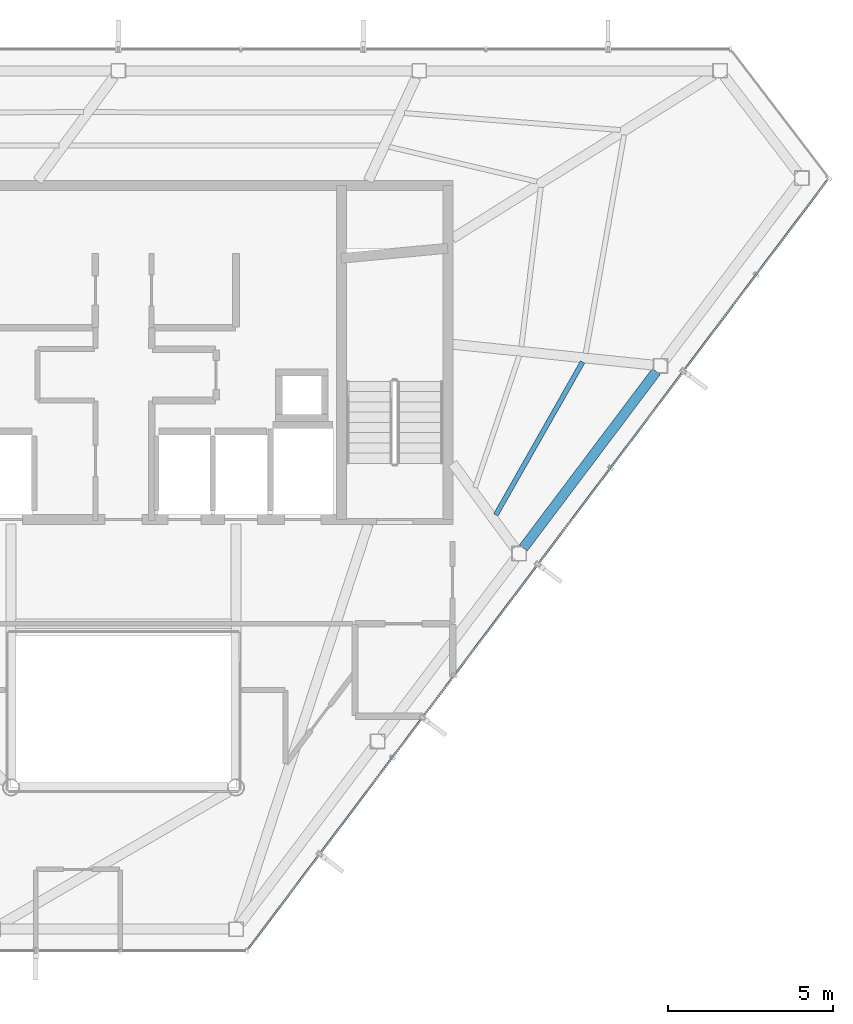
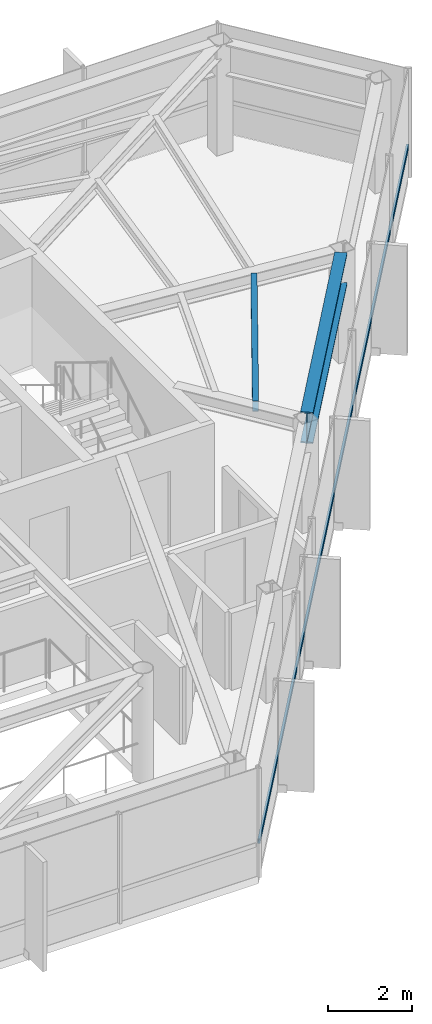
# One storey, part 16 of 22: 2 beams, 1 member, 1 element without a shape of its own.
"""IFC4 building model written with IfcOpenShell, lengths in metres."""

from ifc_helpers import new_model, si_unit, direction, frame, origin, origin_2d, place, context, subcontext, project, spatial, hollow_rectangle, i_section, extrude, material, layer, layer_set, material_profile, profile_set, type_object, element, aggregate, save


model = new_model("IFC4")

# Units and contexts
model_context = context("Model", 3, precision=1e-05, world=origin(), true_north=direction((0.0, 1.0)))
body_context = subcontext(model_context, "Body", "Model", "MODEL_VIEW")
ifc_project = project(units=[si_unit("LENGTHUNIT", "METRE"), si_unit("AREAUNIT", "SQUARE_METRE"), si_unit("VOLUMEUNIT", "CUBIC_METRE"), si_unit("PLANEANGLEUNIT", "RADIAN"), si_unit("MASSUNIT", "GRAM", prefix="KILO")], contexts=[model_context])

# Site, building, storey
site_placement = place(None, origin())
site = spatial("IfcSite", under=ifc_project, at=site_placement, CompositionType="ELEMENT")
building_placement = place(site_placement, origin())
building = spatial("IfcBuilding", under=site, at=building_placement, Name="Zarrinselat Tower", CompositionType="ELEMENT")
storey_placement = place(building_placement, frame((0.0, 0.0, 289.0)))
storey = spatial("IfcBuildingStorey", under=building, at=storey_placement, Name="L74", CompositionType="ELEMENT", Elevation=289.0)

# Beams
ifc_material_1 = material(Name="Steel S460M", Category="steel")
ifc_material_profile_1 = material_profile(ifc_material_1, i_section(OverallWidth=0.302001953125, OverallDepth=0.909912109375, WebThickness=0.02099609375, FlangeThickness=0.0400390625, at=origin_2d()), Name="HEM 900")
ifc_profile_set_1 = profile_set([ifc_material_profile_1], Name="Steel S460M")
beam_type_1 = type_object("IfcBeamType", Name="BM-HEM900", PredefinedType="BEAM", material=ifc_profile_set_1)
beam_1_placement = place(storey_placement, frame((50.48681640625, 32.438720703125, 2.72509765625), z_axis=(0.601664813765, 0.798748678795, 0.0), x_axis=(-0.798748678795, 0.601664813765, 0.0)))
element("IfcBeam", 1, at=beam_1_placement, inside=storey, type_object=beam_type_1, Name="L74 Perimeter Spandrel Girder SP13", PredefinedType="BEAM", context=body_context, shape_type="SweptSolid", body=[
    extrude(i_section(OverallWidth=0.302001953125, OverallDepth=0.909912109375, WebThickness=0.02099609375, FlangeThickness=0.0400390625, at=origin_2d()), origin(), (0.0, 0.0, 1.0), 6.681884765625),
])
ifc_material_2 = material(Name="Steel S355J2", Category="steel")
ifc_material_profile_2 = material_profile(ifc_material_2, i_section(OverallWidth=0.14990234375, OverallDepth=0.300048828125, WebThickness=0.007080078125, FlangeThickness=0.0107421875, at=origin_2d()), Name="IPE 300")
ifc_profile_set_2 = profile_set([ifc_material_profile_2], Name="Steel S355J2")
beam_type_2 = type_object("IfcBeamType", Name="BM-IPE300", PredefinedType="JOIST", material=ifc_profile_set_2)
beam_2_placement = place(storey_placement, frame((49.656005859375, 33.439697265625, 3.030029296875), z_axis=(0.493683450613, 0.869641679424, 0.0), x_axis=(-0.869641679424, 0.493683450613, 0.0)))
element("IfcBeam", 2, at=beam_2_placement, inside=storey, type_object=beam_type_2, Name="L74 Composite Floor Joist 4-1", PredefinedType="JOIST", context=body_context, shape_type="SweptSolid", body=[
    extrude(i_section(OverallWidth=0.14990234375, OverallDepth=0.300048828125, WebThickness=0.007080078125, FlangeThickness=0.0107421875, at=origin_2d()), origin(), (0.0, 0.0, 1.0), 5.315185546875),
])

# Curtain wall, member
ifc_material_3 = material(Name="Extruded Aluminium Alloy EN AW-6063 T6", Category="aluminium")
ifc_layer = layer(ifc_material_3, 0.199951171875)
ifc_layer_set = layer_set([ifc_layer], Name="Extruded Aluminium Alloy EN AW-6063 T6")
curtain_wall_type = type_object("IfcCurtainWallType", Name="CWS-BLADE", PredefinedType="NOTDEFINED", material=ifc_layer_set)
curtain_wall_placement = place(storey_placement, origin())
curtain_wall = element("IfcCurtainWall", 3, at=curtain_wall_placement, inside=storey, type_object=curtain_wall_type, Name="L74 Unitised Curtain Wall CW-L74-E05", PredefinedType="NOTDEFINED")
ifc_material_4 = material(Name="Extruded Aluminium Alloy EN AW-6063 T6", Category="aluminium")
ifc_material_profile_3 = material_profile(ifc_material_4, hollow_rectangle(XDim=0.06005859375, YDim=0.139892578125, WallThickness=0.00390625, at=origin_2d()), Name="RHS 140x60x4")
ifc_profile_set_3 = profile_set([ifc_material_profile_3], Name="Extruded Aluminium Alloy EN AW-6063 T6")
member_type = type_object("IfcMemberType", Name="MEM-CW-TRN", PredefinedType="USERDEFINED", material=ifc_profile_set_3)
member_placement = place(storey_placement, frame((42.18408203125, 20.336181640625, 0.949951171875), z_axis=(0.601670426003, 0.798744451294, 0.0), x_axis=(-0.798744451294, 0.601670426003, 0.0)))
member = element("IfcMember", 4, at=member_placement, type_object=member_type, Name="CW-L74-E05 Transom 1", ObjectType="TRANSOM", PredefinedType="USERDEFINED", context=body_context, shape_type="SweptSolid", body=[
    extrude(hollow_rectangle(XDim=0.06005859375, YDim=0.139892578125, WallThickness=0.00390625, at=origin_2d()), origin(), (0.0, 0.0, 1.0), 29.06787109375),
])
aggregate(curtain_wall, [member])

save(model, "model.ifc")
